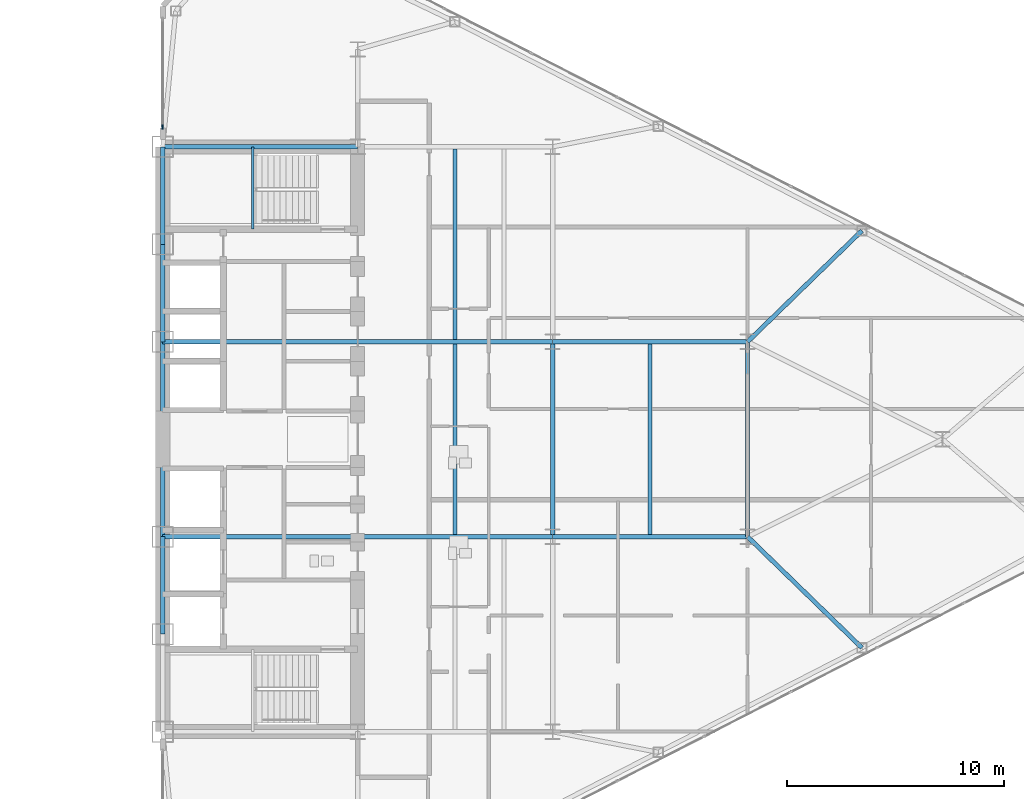
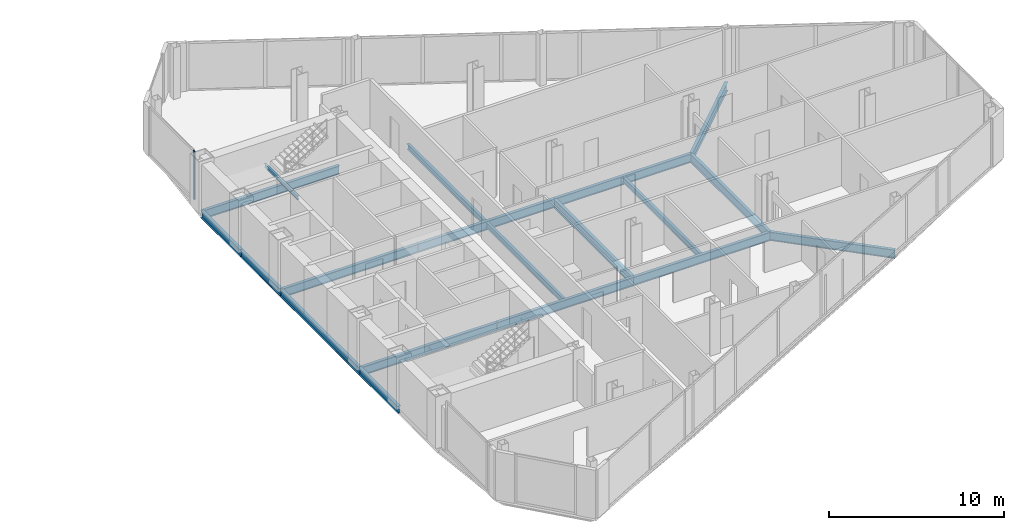
# One storey, part 10 of 24: 19 beams, 1 member, 1 element without a shape of its own.
"""IFC4 building model written with IfcOpenShell, lengths in metres."""

from ifc_helpers import new_model, si_unit, direction, frame, origin, origin_2d, place, context, subcontext, project, spatial, rectangle, i_section, extrude, source, transform, mapped, material, layer, layer_set, material_profile, profile_set, type_object, type_shapes, element, aggregate, save


model = new_model("IFC4")

# Units and contexts
model_context = context("Model", 3, precision=1e-05, world=origin(), true_north=direction((0.0, 1.0)))
body_context = subcontext(model_context, "Body", "Model", "MODEL_VIEW")
ifc_project = project(units=[si_unit("LENGTHUNIT", "METRE"), si_unit("AREAUNIT", "SQUARE_METRE"), si_unit("VOLUMEUNIT", "CUBIC_METRE"), si_unit("PLANEANGLEUNIT", "RADIAN"), si_unit("MASSUNIT", "GRAM", prefix="KILO")], contexts=[model_context])

# Site, building, storey
site_placement = place(None, origin())
site = spatial("IfcSite", under=ifc_project, at=site_placement, CompositionType="ELEMENT")
building_placement = place(site_placement, origin())
building = spatial("IfcBuilding", under=site, at=building_placement, Name="Seokmaru Belvedere", CompositionType="ELEMENT")
storey_placement = place(building_placement, frame((0.0, 0.0, 121.199951171875)))
storey = spatial("IfcBuildingStorey", under=building, at=storey_placement, Name="L32", CompositionType="ELEMENT", Elevation=121.199951171875)

# Beams
ifc_material_1 = material(Name="Steel SM355 (355 MPa)", Category="steel")
ifc_material_profile_1 = material_profile(ifc_material_1, i_section(OverallWidth=0.199951171875, OverallDepth=0.5, WebThickness=0.010009765625, FlangeThickness=0.01611328125, at=origin_2d()), Name="H-500x200x10x16")
ifc_profile_set_1 = profile_set([ifc_material_profile_1], Name="Steel SM355 (355 MPa)")
beam_type_1 = type_object("IfcBeamType", Name="Perimeter Spandrel Beam H-500", PredefinedType="SPANDREL", material=ifc_profile_set_1)
shared_shape_1 = source(origin(), body_context, "Body", "SweptSolid", [
    extrude(i_section(OverallWidth=0.199951171875, OverallDepth=0.5, WebThickness=0.010009765625, FlangeThickness=0.01611328125, at=origin_2d()), origin(), (0.0, 0.0, 1.0), 4.5),
])
for number, where, z_axis, x_axis, name in (
    (1, (27.5, -9.0, -0.469970703125), (0.0, 1.0, 0.0), (-1.0, 0.0, 0.0), "L32 E Portal Spine Spandrel 2"),
    (2, (27.5, 4.5, -0.469970703125), (0.0, 1.0, 0.0), (-1.0, 0.0, 0.0), "L32 E Portal Spine Spandrel 4"),
    (3, (27.5, 9.0, -0.469970703125), (0.0, 1.0, 0.0), (-1.0, 0.0, 0.0), "L32 E Portal Spine Spandrel 5"),
):
    element("IfcBeam", number, at=place(storey_placement, frame(where, z_axis=z_axis, x_axis=x_axis)), inside=storey, type_object=beam_type_1, Name=name, PredefinedType="SPANDREL", context=body_context, shape_type="MappedRepresentation", body=[
        mapped(shared_shape_1, transform((0.0, 0.0, 0.0), scale=1.0)),
    ])
shared_shape_2 = source(origin(), body_context, "Body", "SweptSolid", [
    extrude(i_section(OverallWidth=0.199951171875, OverallDepth=0.5, WebThickness=0.010009765625, FlangeThickness=0.01611328125, at=origin_2d()), origin(), (0.0, 0.0, 1.0), 9.0),
])
type_shapes(beam_type_1, [shared_shape_1, shared_shape_2])
beam_1_placement = place(storey_placement, frame((27.5, -4.5, -0.469970703125), z_axis=(0.0, 1.0, 0.0), x_axis=(-1.0, 0.0, 0.0)))
element("IfcBeam", 4, at=beam_1_placement, inside=storey, type_object=beam_type_1, Name="L32 E Portal Spine Spandrel 3", PredefinedType="SPANDREL", context=body_context, shape_type="MappedRepresentation", body=[
    mapped(shared_shape_2, transform((0.0, 0.0, 0.0), scale=1.0)),
])
ifc_material_profile_2 = material_profile(ifc_material_1, i_section(OverallWidth=0.199951171875, OverallDepth=0.60009765625, WebThickness=0.010986328125, FlangeThickness=0.01708984375, at=origin_2d()), Name="H-600x200x11x17")
ifc_profile_set_2 = profile_set([ifc_material_profile_2], Name="Steel SM355 (355 MPa)")
beam_type_2 = type_object("IfcBeamType", Name="Primary Floor Girder H-600", PredefinedType="BEAM", material=ifc_profile_set_2)
shared_shape_3 = source(origin(), body_context, "Body", "SweptSolid", [
    extrude(i_section(OverallWidth=0.199951171875, OverallDepth=0.60009765625, WebThickness=0.010986328125, FlangeThickness=0.01708984375, at=origin_2d()), origin(), (0.0, 0.0, 1.0), 9.0),
])
for number, where, z_axis, x_axis, name in (
    (5, (45.5, -4.5, -0.52001953125), (0.0, 1.0, 0.0), (-1.0, 0.0, 0.0), "L32 E Interior Grid Girder 2"),
    (6, (27.5, -4.5, -0.52001953125), (1.0, 0.0, 0.0), (0.0, 1.0, 0.0), "L32 E Core Tie Girder 2"),
    (7, (36.5, -4.5, -0.52001953125), (1.0, 0.0, 0.0), (0.0, 1.0, 0.0), "L32 E Wing Primary Girder 2"),
    (8, (27.5, 4.5, -0.52001953125), (1.0, 0.0, 0.0), (0.0, 1.0, 0.0), "L32 E Core Tie Girder 3"),
    (9, (36.5, 4.5, -0.52001953125), (1.0, 0.0, 0.0), (0.0, 1.0, 0.0), "L32 E Wing Primary Girder 3"),
    (10, (27.5, 13.5, -0.52001953125), (1.0, 0.0, 0.0), (0.0, 1.0, 0.0), "L32 E Core Tie Girder 4"),
    (11, (45.5, -4.5, -0.52001953125), (1.0, 0.0, 0.0), (0.0, 1.0, 0.0), "L32 E Outer Wing Girder 1"),
    (12, (45.5, 4.5, -0.52001953125), (1.0, 0.0, 0.0), (0.0, 1.0, 0.0), "L32 E Outer Wing Girder 2"),
    (13, (54.5, -4.5, -0.52001953125), (0.0, 1.0, 0.0), (-1.0, 0.0, 0.0), "L32 E Apex Frame Girder"),
):
    element("IfcBeam", number, at=place(storey_placement, frame(where, z_axis=z_axis, x_axis=x_axis)), inside=storey, type_object=beam_type_2, Name=name, PredefinedType="BEAM", context=body_context, shape_type="MappedRepresentation", body=[
        mapped(shared_shape_3, transform((0.0, 0.0, 0.0), scale=1.0)),
    ])
ifc_material_profile_3 = material_profile(ifc_material_1, i_section(OverallWidth=0.18505859375, OverallDepth=0.389892578125, WebThickness=0.008056640625, FlangeThickness=0.011962890625, at=origin_2d()), Name="H-390x185x8x12")
ifc_profile_set_3 = profile_set([ifc_material_profile_3], Name="Steel SM355 (355 MPa)")
beam_type_3 = type_object("IfcBeamType", Name="Secondary Floor Joist H-350", PredefinedType="JOIST", material=ifc_profile_set_3)
shared_shape_4 = source(origin(), body_context, "Body", "SweptSolid", [
    extrude(i_section(OverallWidth=0.18505859375, OverallDepth=0.389892578125, WebThickness=0.008056640625, FlangeThickness=0.011962890625, at=origin_2d()), origin(), (0.0, 0.0, 1.0), 8.7900390625),
])
type_shapes(beam_type_3, [shared_shape_4])
for number, where, z_axis, x_axis, name in (
    (14, (41.0, -4.39501953125, -0.4150390625), (0.0, 1.0, 0.0), (-1.0, 0.0, 0.0), "L32 E Secondary Floor Joist 2"),
    (15, (41.0, 4.60498046875, -0.4150390625), (0.0, 1.0, 0.0), (-1.0, 0.0, 0.0), "L32 E Secondary Floor Joist 3"),
    (16, (50.0, -4.39501953125, -0.4150390625), (0.0, 1.0, 0.0), (-1.0, 0.0, 0.0), "L32 E Outer Bay Secondary Joist"),
):
    element("IfcBeam", number, at=place(storey_placement, frame(where, z_axis=z_axis, x_axis=x_axis)), inside=storey, type_object=beam_type_3, Name=name, PredefinedType="JOIST", context=body_context, shape_type="MappedRepresentation", body=[
        mapped(shared_shape_4, transform((0.0, 0.0, 0.0), scale=1.0)),
    ])
shared_shape_5 = source(origin(), body_context, "Body", "SweptSolid", [
    extrude(i_section(OverallWidth=0.199951171875, OverallDepth=0.60009765625, WebThickness=0.010986328125, FlangeThickness=0.01708984375, at=origin_2d()), origin(), (0.0, 0.0, 1.0), 7.35986328125),
])
type_shapes(beam_type_2, [shared_shape_3, shared_shape_5])
for number, where, z_axis, x_axis, name in (
    (17, (59.778564453125, -9.62890625, -0.52001953125), (-0.717200745515, 0.696866623273, 0.0), (-0.696866623273, -0.717200745515, 0.0), "L32 E Flank Radial Floor Girder S-3"),
    (18, (59.778564453125, 9.62890625, -0.52001953125), (-0.717200745515, -0.696866623273, 0.0), (0.696866623273, -0.717200745515, 0.0), "L32 E Flank Radial Floor Girder N-3"),
):
    element("IfcBeam", number, at=place(storey_placement, frame(where, z_axis=z_axis, x_axis=x_axis)), inside=storey, type_object=beam_type_2, Name=name, PredefinedType="BEAM", context=body_context, shape_type="MappedRepresentation", body=[
        mapped(shared_shape_5, transform((0.0, 0.0, 0.0), scale=1.0)),
    ])

# Curtain wall, member
ifc_material_2 = material(Name="Bronze Triple Insulating Glass", Category="glass")
ifc_layer = layer(ifc_material_2, 0.195068359375)
ifc_layer_set = layer_set([ifc_layer], Name="Bronze Triple Insulating Glass")
curtain_wall_type = type_object("IfcCurtainWallType", Name="Sky-Lobby and Mid-Rise Curtain Wall System CW-4", PredefinedType="NOTDEFINED", material=ifc_layer_set)
curtain_wall_placement = place(storey_placement, origin())
curtain_wall = element("IfcCurtainWall", 19, at=curtain_wall_placement, inside=storey, type_object=curtain_wall_type, Name="L32 Curtain Wall ESP_2", PredefinedType="NOTDEFINED")
ifc_material_3 = material(Name="Anodised Bronze Aluminium", Category="aluminium")
ifc_material_profile_4 = material_profile(ifc_material_3, rectangle(XDim=0.070068359375, YDim=0.195068359375, at=origin_2d()), Name="CW-M-70x195")
ifc_profile_set_4 = profile_set([ifc_material_profile_4], Name="Anodised Bronze Aluminium")
member_type = type_object("IfcMemberType", Name="Bronze Unitised Mullion 70x195", PredefinedType="MULLION", material=ifc_profile_set_4)
shared_shape_6 = source(origin(), body_context, "Body", "SweptSolid", [
    extrude(rectangle(XDim=0.070068359375, YDim=0.195068359375, at=origin_2d()), origin(), (0.0, 0.0, 1.0), 3.380126953125),
])
type_shapes(member_type, [shared_shape_6])
member_placement = place(storey_placement, frame((27.5, 14.4150390625, 0.0), z_axis=(0.0, 0.0, 1.0), x_axis=(1.0, 0.0, 0.0)))
member = element("IfcMember", 20, at=member_placement, type_object=member_type, Name="CW:L32:ESP_2 Mullion 2", PredefinedType="MULLION", context=body_context, shape_type="MappedRepresentation", body=[
    mapped(shared_shape_6, transform((0.0, 0.0, 0.0), scale=1.0)),
])
aggregate(curtain_wall, [member])

# Beam
ifc_material_profile_5 = material_profile(ifc_material_1, i_section(OverallWidth=0.125, OverallDepth=0.25, WebThickness=0.006103515625, FlangeThickness=0.009033203125, at=origin_2d()), Name="H-250x125x6x9")
ifc_profile_set_5 = profile_set([ifc_material_profile_5], Name="Steel SM355 (355 MPa)")
beam_type_4 = type_object("IfcBeamType", Name="Stair Mid-Landing Support Beam H-250", PredefinedType="JOIST", material=ifc_profile_set_5)
shared_shape_7 = source(origin(), body_context, "Body", "SweptSolid", [
    extrude(i_section(OverallWidth=0.125, OverallDepth=0.25, WebThickness=0.006103515625, FlangeThickness=0.009033203125, at=origin_2d()), origin(), (0.0, 0.0, 1.0), 3.800048828125),
])
type_shapes(beam_type_4, [shared_shape_7])
beam_2_placement = place(storey_placement, frame((31.64990234375, 9.699951171875, 1.47509765625), z_axis=(0.0, 1.0, 0.0), x_axis=(-1.0, 0.0, 0.0)))
element("IfcBeam", 21, at=beam_2_placement, inside=storey, type_object=beam_type_4, Name="L32 Stair ST-E2 Mid-Landing Support Beam 1", PredefinedType="JOIST", context=body_context, shape_type="MappedRepresentation", body=[
    mapped(shared_shape_7, transform((0.0, 0.0, 0.0), scale=1.0)),
])

save(model, "model.ifc")
